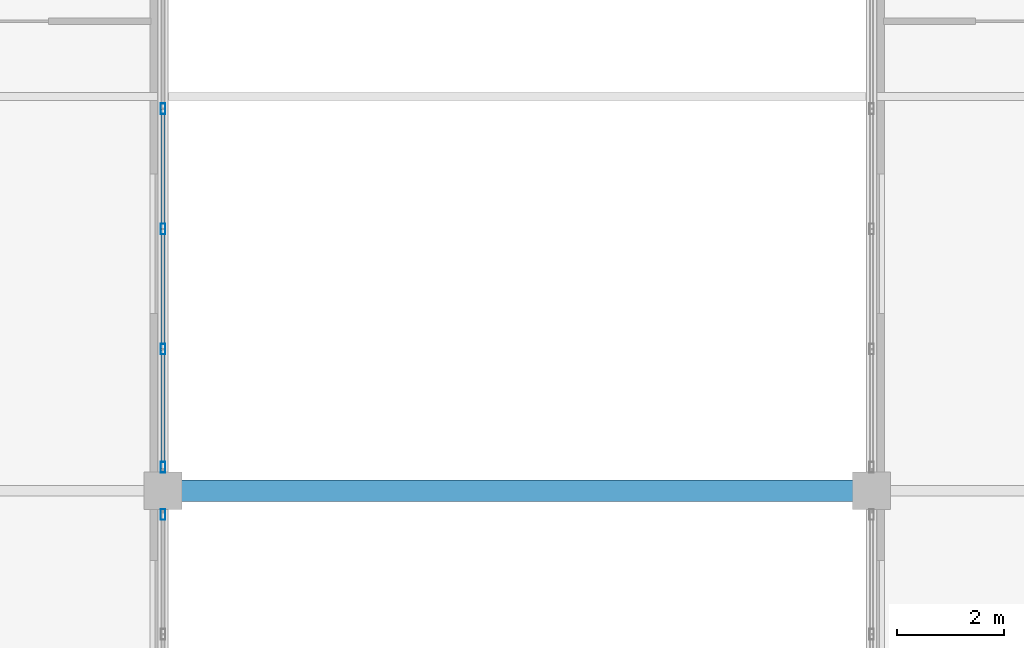
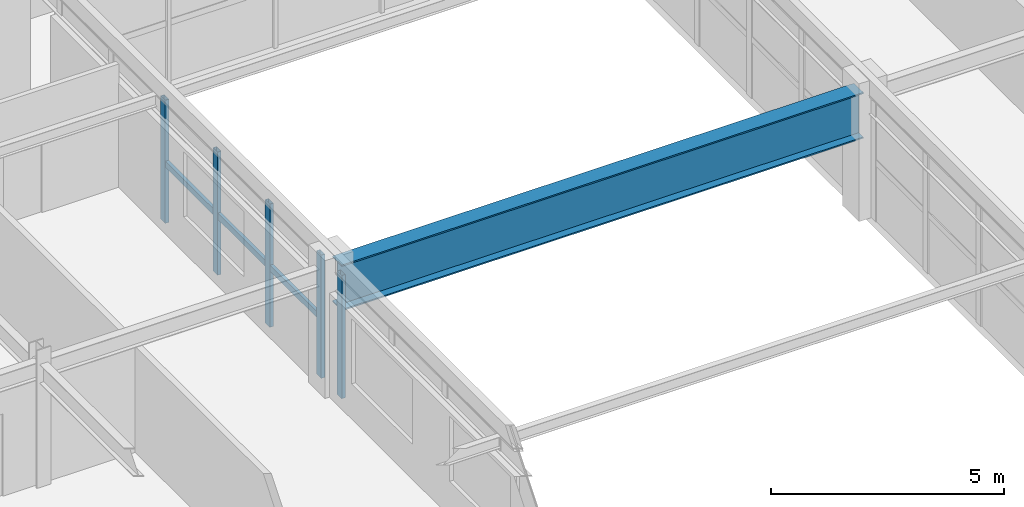
# One storey, part 9 of 37: 8 members, 1 beam, 2 elements without a shape of their own.
"""IFC4 building model written with IfcOpenShell, lengths in metres."""

from ifc_helpers import new_model, si_unit, direction, frame, origin, origin_2d, place, context, subcontext, project, spatial, hollow_rectangle, i_section, extrude, source, transform, mapped, material, material_profile, profile_set, type_object, element, aggregate, save


model = new_model("IFC4")

# Units and contexts
model_context = context("Model", 3, precision=1e-05, world=origin(), true_north=direction((0.0, 1.0)))
body_context = subcontext(model_context, "Body", "Model", "MODEL_VIEW")
ifc_project = project(units=[si_unit("LENGTHUNIT", "METRE"), si_unit("AREAUNIT", "SQUARE_METRE"), si_unit("VOLUMEUNIT", "CUBIC_METRE"), si_unit("PLANEANGLEUNIT", "RADIAN"), si_unit("MASSUNIT", "GRAM", prefix="KILO")], contexts=[model_context])

# Site, building, storey
site_placement = place(None, origin())
site = spatial("IfcSite", under=ifc_project, at=site_placement, CompositionType="ELEMENT")
building_placement = place(site_placement, origin())
building = spatial("IfcBuilding", under=site, at=building_placement, Name="Trelvane Seafront Commons", CompositionType="ELEMENT")
storey_placement = place(building_placement, frame((0.0, 0.0, 201.300048828125)))
storey = spatial("IfcBuildingStorey", under=building, at=storey_placement, Name="L52", CompositionType="ELEMENT", Elevation=201.300048828125)

# Beam
ifc_material_1 = material(Name="Steel SM355 (S355)", Category="steel")
ifc_material_profile_1 = material_profile(ifc_material_1, i_section(OverallWidth=0.39990234375, OverallDepth=1.199951171875, WebThickness=0.02001953125, FlangeThickness=0.035888671875, at=origin_2d()), Name="W-1200x400x20x36")
ifc_profile_set_1 = profile_set([ifc_material_profile_1], Name="Steel SM355 (S355)")
beam_type = type_object("IfcBeamType", Name="STR-TRG-W1200", PredefinedType="BEAM", material=ifc_profile_set_1)
shared_shape_1 = source(origin(), body_context, "Body", "SweptSolid", [
    extrude(i_section(OverallWidth=0.39990234375, OverallDepth=1.199951171875, WebThickness=0.02001953125, FlangeThickness=0.035888671875, at=origin_2d()), origin(), (0.0, 0.0, 1.0), 12.89990234375),
])
beam_placement = place(storey_placement, frame((30.75, 18.199951171875, 2.619873046875), z_axis=(1.0, 0.0, 0.0), x_axis=(0.0, 1.0, 0.0)))
element("IfcBeam", 1, at=beam_placement, inside=storey, type_object=beam_type, Name="L52 Transfer Girder TG-11", PredefinedType="BEAM", context=body_context, shape_type="MappedRepresentation", body=[
    mapped(shared_shape_1, transform((0.0, 0.0, 0.0), x_axis=(1.0, 0.0, 0.0), y_axis=(0.0, 1.0, 0.0), z_axis=(0.0, 0.0, 1.0), scale=1.0)),
])

# Curtain wall, member
ifc_material_2 = material(Name="Anodised pale-silver aluminium", Category="aluminium")
curtain_wall_type = type_object("IfcCurtainWallType", Name="ARCH-CW3-PORTAL", PredefinedType="NOTDEFINED", material=ifc_material_2)
curtain_wall_1_placement = place(storey_placement, origin())
curtain_wall_1 = element("IfcCurtainWall", 2, at=curtain_wall_1_placement, inside=storey, type_object=curtain_wall_type, Name="CW-L52-VP-0091", PredefinedType="NOTDEFINED")
ifc_material_profile_2 = material_profile(ifc_material_2, hollow_rectangle(XDim=0.090087890625, YDim=0.199951171875, WallThickness=0.0048828125, at=origin_2d()), Name="MULL-90x200x5")
ifc_profile_set_2 = profile_set([ifc_material_profile_2], Name="Anodised pale-silver aluminium")
member_type_1 = type_object("IfcMemberType", Name="ARCH-CW-MULL-200", PredefinedType="MULLION", material=ifc_profile_set_2)
shared_shape_2 = source(origin(), body_context, "Body", "SweptSolid", [
    extrude(hollow_rectangle(XDim=0.090087890625, YDim=0.199951171875, WallThickness=0.0048828125, at=origin_2d()), origin(), (0.0, 0.0, 1.0), 3.219970703125),
])
member_1_placement = place(storey_placement, frame((30.60009765625, 17.760009765625, 0.0), z_axis=(0.0, 0.0, 1.0), x_axis=(1.0, 0.0, 0.0)))
member_1 = element("IfcMember", 3, at=member_1_placement, type_object=member_type_1, Name="CW-L52-VP-0091-M06", PredefinedType="MULLION", context=body_context, shape_type="MappedRepresentation", body=[
    mapped(shared_shape_2, transform((0.0, 0.0, 0.0), x_axis=(1.0, 0.0, 0.0), y_axis=(0.0, 1.0, 0.0), z_axis=(0.0, 0.0, 1.0), scale=1.0)),
])
aggregate(curtain_wall_1, [member_1])

# Curtain wall, members
curtain_wall_2_placement = place(storey_placement, origin())
curtain_wall_2 = element("IfcCurtainWall", 4, at=curtain_wall_2_placement, inside=storey, type_object=curtain_wall_type, Name="CW-L52-VP-0092", PredefinedType="NOTDEFINED")
member_2_placement = place(storey_placement, frame((30.60009765625, 18.639892578125, 0.0), z_axis=(0.0, 0.0, 1.0), x_axis=(1.0, 0.0, 0.0)))
member_2 = element("IfcMember", 5, at=member_2_placement, type_object=member_type_1, Name="CW-L52-VP-0092-M00", PredefinedType="MULLION", context=body_context, shape_type="MappedRepresentation", body=[
    mapped(shared_shape_2, transform((0.0, 0.0, 0.0), x_axis=(1.0, 0.0, 0.0), y_axis=(0.0, 1.0, 0.0), z_axis=(0.0, 0.0, 1.0), scale=1.0)),
])
member_3_placement = place(storey_placement, frame((30.60009765625, 20.840087890625, 0.0), z_axis=(0.0, 0.0, 1.0), x_axis=(1.0, 0.0, 0.0)))
member_3 = element("IfcMember", 6, at=member_3_placement, type_object=member_type_1, Name="CW-L52-VP-0092-M01", PredefinedType="MULLION", context=body_context, shape_type="MappedRepresentation", body=[
    mapped(shared_shape_2, transform((0.0, 0.0, 0.0), x_axis=(1.0, 0.0, 0.0), y_axis=(0.0, 1.0, 0.0), z_axis=(0.0, 0.0, 1.0), scale=1.0)),
])
member_4_placement = place(storey_placement, frame((30.60009765625, 23.080078125, 0.0), z_axis=(0.0, 0.0, 1.0), x_axis=(1.0, 0.0, 0.0)))
member_4 = element("IfcMember", 7, at=member_4_placement, type_object=member_type_1, Name="CW-L52-VP-0092-M02", PredefinedType="MULLION", context=body_context, shape_type="MappedRepresentation", body=[
    mapped(shared_shape_2, transform((0.0, 0.0, 0.0), x_axis=(1.0, 0.0, 0.0), y_axis=(0.0, 1.0, 0.0), z_axis=(0.0, 0.0, 1.0), scale=1.0)),
])
member_5_placement = place(storey_placement, frame((30.60009765625, 25.320068359375, 0.0), z_axis=(0.0, 0.0, 1.0), x_axis=(1.0, 0.0, 0.0)))
member_5 = element("IfcMember", 8, at=member_5_placement, type_object=member_type_1, Name="CW-L52-VP-0092-M03", PredefinedType="MULLION", context=body_context, shape_type="MappedRepresentation", body=[
    mapped(shared_shape_2, transform((0.0, 0.0, 0.0), x_axis=(1.0, 0.0, 0.0), y_axis=(0.0, 1.0, 0.0), z_axis=(0.0, 0.0, 1.0), scale=1.0)),
])
ifc_material_profile_3 = material_profile(ifc_material_2, hollow_rectangle(XDim=0.080078125, YDim=0.159912109375, WallThickness=0.00439453125, at=origin_2d()), Name="TRAN-80x160x4.5")
ifc_profile_set_3 = profile_set([ifc_material_profile_3], Name="Anodised pale-silver aluminium")
member_type_2 = type_object("IfcMemberType", Name="ARCH-CW-TRAN-160", PredefinedType="USERDEFINED", material=ifc_profile_set_3)
shared_shape_3 = source(origin(), body_context, "Body", "SweptSolid", [
    extrude(hollow_rectangle(XDim=0.080078125, YDim=0.159912109375, WallThickness=0.00439453125, at=origin_2d()), origin(), (0.0, 0.0, 1.0), 2.2158203125),
])
member_6_placement = place(storey_placement, frame((30.60009765625, 18.612060546875, 1.5458984375), z_axis=(0.0, 1.0, 0.0), x_axis=(-1.0, 0.0, 0.0)))
member_6 = element("IfcMember", 9, at=member_6_placement, type_object=member_type_2, Name="CW-L52-VP-0092-T00", ObjectType="TRANSOM", PredefinedType="USERDEFINED", context=body_context, shape_type="MappedRepresentation", body=[
    mapped(shared_shape_3, transform((0.0, 0.0, 0.0), x_axis=(1.0, 0.0, 0.0), y_axis=(0.0, 1.0, 0.0), z_axis=(0.0, 0.0, 1.0), scale=1.0)),
])
shared_shape_4 = source(origin(), body_context, "Body", "SweptSolid", [
    extrude(hollow_rectangle(XDim=0.080078125, YDim=0.159912109375, WallThickness=0.00439453125, at=origin_2d()), origin(), (0.0, 0.0, 1.0), 2.216064453125),
])
member_7_placement = place(storey_placement, frame((30.60009765625, 20.85205078125, 1.5458984375), z_axis=(0.0, 1.0, 0.0), x_axis=(-1.0, 0.0, 0.0)))
member_7 = element("IfcMember", 10, at=member_7_placement, type_object=member_type_2, Name="CW-L52-VP-0092-T01", ObjectType="TRANSOM", PredefinedType="USERDEFINED", context=body_context, shape_type="MappedRepresentation", body=[
    mapped(shared_shape_4, transform((0.0, 0.0, 0.0), x_axis=(1.0, 0.0, 0.0), y_axis=(0.0, 1.0, 0.0), z_axis=(0.0, 0.0, 1.0), scale=1.0)),
])
member_8_placement = place(storey_placement, frame((30.60009765625, 23.092041015625, 1.5458984375), z_axis=(0.0, 1.0, 0.0), x_axis=(-1.0, 0.0, 0.0)))
member_8 = element("IfcMember", 11, at=member_8_placement, type_object=member_type_2, Name="CW-L52-VP-0092-T02", ObjectType="TRANSOM", PredefinedType="USERDEFINED", context=body_context, shape_type="MappedRepresentation", body=[
    mapped(shared_shape_4, transform((0.0, 0.0, 0.0), x_axis=(1.0, 0.0, 0.0), y_axis=(0.0, 1.0, 0.0), z_axis=(0.0, 0.0, 1.0), scale=1.0)),
])
aggregate(curtain_wall_2, [member_2, member_3, member_4, member_5, member_6, member_7, member_8])

save(model, "model.ifc")
